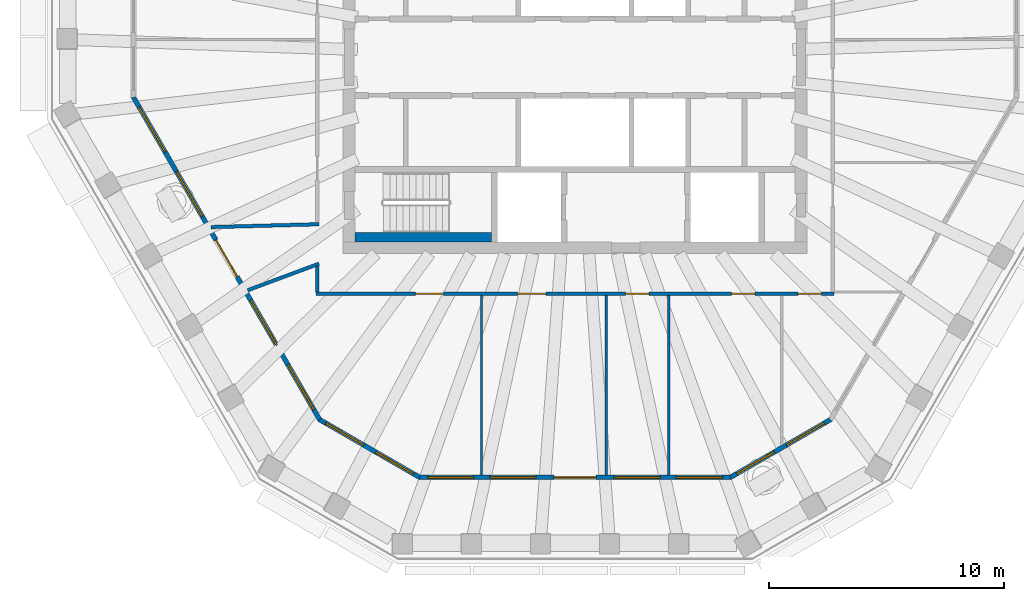
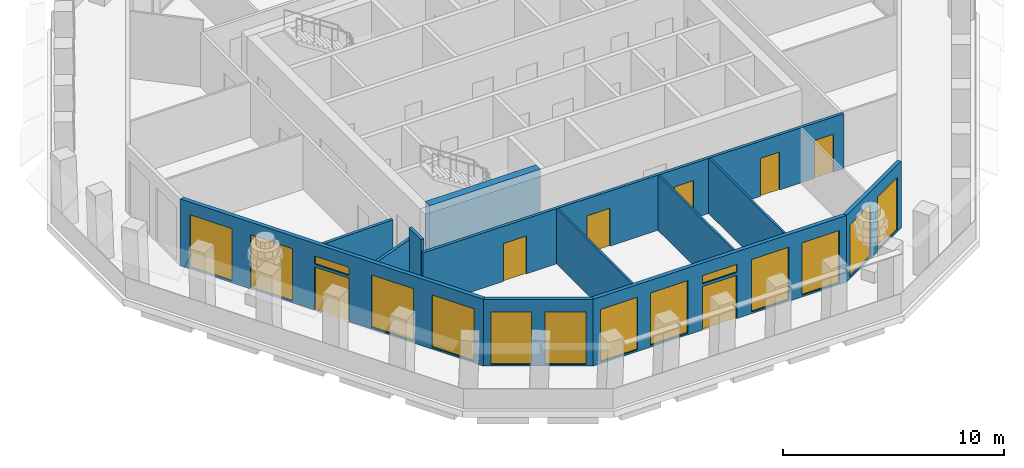
# One storey, part 3 of 11: 14 windows, 12 walls, 7 doors, 21 openings.
"""IFC4 building model written with IfcOpenShell, lengths in metres."""

from ifc_helpers import new_model, si_unit, direction, frame, frame_2d, origin, place, context, subcontext, project, spatial, polyline, rectangle, outline, extrude, material, layer, layer_set, type_object, element, fill, save


model = new_model("IFC4")

# Units and contexts
model_context = context("Model", 3, precision=1e-05, world=origin(), true_north=direction((0.0, 1.0)))
body_context = subcontext(model_context, "Body", "Model", "MODEL_VIEW")
ifc_project = project(units=[si_unit("LENGTHUNIT", "METRE"), si_unit("AREAUNIT", "SQUARE_METRE"), si_unit("VOLUMEUNIT", "CUBIC_METRE"), si_unit("PLANEANGLEUNIT", "RADIAN"), si_unit("MASSUNIT", "GRAM", prefix="KILO")], contexts=[model_context])

# Site, building, storey
site_placement = place(None, origin())
site = spatial("IfcSite", under=ifc_project, at=site_placement, CompositionType="ELEMENT")
building_placement = place(site_placement, origin())
building = spatial("IfcBuilding", under=site, at=building_placement, Name="Frailejon Research Tower", CompositionType="ELEMENT")
storey_placement = place(building_placement, frame((0.0, 0.0, 332.60009765625)))
storey = spatial("IfcBuildingStorey", under=building, at=storey_placement, Name="L74", CompositionType="ELEMENT", Elevation=332.60009765625)

# Wall
ifc_material_1 = material(Name="Gypsum board and masonry partition", Category="masonry")
ifc_layer_1 = layer(ifc_material_1, 0.14990234375)
ifc_layer_set_1 = layer_set([ifc_layer_1], Name="Corridor wall EI 60, gypsum on steel studs 150")
wall_type_1 = type_object("IfcWallType", Name="Corridor wall EI 60, gypsum on steel studs 150", PredefinedType="PARTITIONING", material=ifc_layer_set_1)
wall_1_placement = place(storey_placement, frame((-10.949951171875, -9.97509765625, 0.0), z_axis=(0.0, 0.0, 1.0), x_axis=(0.0, 1.0, 0.0)))
element("IfcWall", 1, at=wall_1_placement, inside=storey, type_object=wall_type_1, Name="T:IW:L74:006", PredefinedType="PARTITIONING", context=body_context, shape_type="SweptSolid", body=[
    extrude(rectangle(XDim=1.10009765625, YDim=0.14990234375, at=frame_2d((0.550048828125, 0.0))), origin(), (0.0, 0.0, 1.0), 3.699951171875),
])

# Wall, openings, doors
wall_2_placement = place(storey_placement, frame((-11.00341796875, -10.050048828125, 0.0), z_axis=(0.0, 0.0, 1.0), x_axis=(1.0, 0.0, 0.0)))
wall_2 = element("IfcWall", 2, at=wall_2_placement, inside=storey, type_object=wall_type_1, Name="T:IW:L74:008", PredefinedType="PARTITIONING", context=body_context, shape_type="SweptSolid", body=[
    extrude(rectangle(XDim=22.0068359375, YDim=0.14990234375, at=frame_2d((11.00341796875, 0.0))), origin(), (0.0, 0.0, 1.0), 3.0498046875),
])
opening_1_placement = place(wall_2_placement, frame((4.21337890625, 0.0, 0.0)))
opening_1 = element("IfcOpeningElement", 3, at=opening_1_placement, cuts=wall_2, Name="Opening D2390", PredefinedType="OPENING", context=body_context, shape_type="SweptSolid", body=[
    extrude(rectangle(XDim=1.199951171875, YDim=2.10009765625, at=frame_2d((0.60009765625, 1.050048828125))), frame((0.0, 0.0849609375, 0.0), z_axis=(0.0, -1.0, 0.0), x_axis=(1.0, 0.0, 0.0)), (0.0, 0.0, 1.0), 0.169921875),
])
opening_2_placement = place(wall_2_placement, frame((8.567138671875, 0.0, 0.0)))
opening_2 = element("IfcOpeningElement", 4, at=opening_2_placement, cuts=wall_2, Name="Opening D2391", PredefinedType="OPENING", context=body_context, shape_type="SweptSolid", body=[
    extrude(rectangle(XDim=1.199951171875, YDim=2.10009765625, at=frame_2d((0.60009765625, 1.050048828125))), frame((0.0, 0.0849609375, 0.0), z_axis=(0.0, -1.0, 0.0), x_axis=(1.0, 0.0, 0.0)), (0.0, 0.0, 1.0), 0.169921875),
])
opening_3_placement = place(wall_2_placement, frame((13.154541015625, 0.0, 0.0)))
opening_3 = element("IfcOpeningElement", 5, at=opening_3_placement, cuts=wall_2, Name="Opening D2392", PredefinedType="OPENING", context=body_context, shape_type="SweptSolid", body=[
    extrude(rectangle(XDim=1.0, YDim=2.10009765625, at=frame_2d((0.5, 1.050048828125))), frame((0.0, 0.0849609375, 0.0), z_axis=(0.0, -1.0, 0.0), x_axis=(1.0, 0.0, 0.0)), (0.0, 0.0, 1.0), 0.169921875),
])
opening_4_placement = place(wall_2_placement, frame((17.65625, 0.0, 0.0)))
opening_4 = element("IfcOpeningElement", 6, at=opening_4_placement, cuts=wall_2, Name="Opening D2393", PredefinedType="OPENING", context=body_context, shape_type="SweptSolid", body=[
    extrude(rectangle(XDim=1.0, YDim=2.10009765625, at=frame_2d((0.5, 1.050048828125))), frame((0.0, 0.0849609375, 0.0), z_axis=(0.0, -1.0, 0.0), x_axis=(1.0, 0.0, 0.0)), (0.0, 0.0, 1.0), 0.169921875),
])
opening_5_placement = place(wall_2_placement, frame((20.468994140625, 0.0, 0.0)))
opening_5 = element("IfcOpeningElement", 7, at=opening_5_placement, cuts=wall_2, Name="Opening D2394", PredefinedType="OPENING", context=body_context, shape_type="SweptSolid", body=[
    extrude(rectangle(XDim=1.0, YDim=2.10009765625, at=frame_2d((0.5, 1.050048828125))), frame((0.0, 0.0849609375, 0.0), z_axis=(0.0, -1.0, 0.0), x_axis=(1.0, 0.0, 0.0)), (0.0, 0.0, 1.0), 0.169921875),
])
ifc_material_2 = material(Name="Timber door leaf", Category="wood")
door_type_1 = type_object("IfcDoorType", Name="Door single leaf, timber, steel frame 1000", OperationType="NOTDEFINED", PredefinedType="DOOR", material=ifc_material_2)
door_1_placement = place(opening_3_placement, origin())
door_1 = element("IfcDoor", 8, at=door_1_placement, inside=storey, type_object=door_type_1, Name="D2392", OperationType="SINGLE_SWING_LEFT", OverallHeight=2.10009765625, OverallWidth=1.0, PredefinedType="DOOR", context=body_context, shape_type="SweptSolid", body=[
    extrude(rectangle(XDim=1.0, YDim=2.10009765625, at=frame_2d((0.5, 1.050048828125))), frame((0.0, 0.02490234375, 0.0), z_axis=(0.0, -1.0, 0.0), x_axis=(1.0, 0.0, 0.0)), (0.0, 0.0, 1.0), 0.050048828125),
])
fill(opening_3, door_1)
door_2_placement = place(opening_4_placement, origin())
door_2 = element("IfcDoor", 9, at=door_2_placement, inside=storey, type_object=door_type_1, Name="D2393", OperationType="SINGLE_SWING_LEFT", OverallHeight=2.10009765625, OverallWidth=1.0, PredefinedType="DOOR", context=body_context, shape_type="SweptSolid", body=[
    extrude(rectangle(XDim=1.0, YDim=2.10009765625, at=frame_2d((0.5, 1.050048828125))), frame((0.0, 0.02490234375, 0.0), z_axis=(0.0, -1.0, 0.0), x_axis=(1.0, 0.0, 0.0)), (0.0, 0.0, 1.0), 0.050048828125),
])
fill(opening_4, door_2)
door_3_placement = place(opening_5_placement, origin())
door_3 = element("IfcDoor", 10, at=door_3_placement, inside=storey, type_object=door_type_1, Name="D2394", OperationType="SINGLE_SWING_RIGHT", OverallHeight=2.10009765625, OverallWidth=1.0, PredefinedType="DOOR", context=body_context, shape_type="SweptSolid", body=[
    extrude(rectangle(XDim=1.0, YDim=2.10009765625, at=frame_2d((0.5, 1.050048828125))), frame((0.0, 0.02490234375, 0.0), z_axis=(0.0, -1.0, 0.0), x_axis=(1.0, 0.0, 0.0)), (0.0, 0.0, 1.0), 0.050048828125),
])
fill(opening_5, door_3)
ifc_material_3 = material(Name="Timber door leaf", Category="wood")
door_type_2 = type_object("IfcDoorType", Name="Door single leaf, timber, steel frame 1200", OperationType="NOTDEFINED", PredefinedType="DOOR", material=ifc_material_3)
door_4_placement = place(opening_1_placement, origin())
door_4 = element("IfcDoor", 11, at=door_4_placement, inside=storey, type_object=door_type_2, Name="D2390", OperationType="DOUBLE_DOOR_SINGLE_SWING", OverallHeight=2.10009765625, OverallWidth=1.199951171875, PredefinedType="DOOR", context=body_context, shape_type="SweptSolid", body=[
    extrude(rectangle(XDim=1.199951171875, YDim=2.10009765625, at=frame_2d((0.60009765625, 1.050048828125))), frame((0.0, 0.02490234375, 0.0), z_axis=(0.0, -1.0, 0.0), x_axis=(1.0, 0.0, 0.0)), (0.0, 0.0, 1.0), 0.050048828125),
])
fill(opening_1, door_4)
door_5_placement = place(opening_2_placement, origin())
door_5 = element("IfcDoor", 12, at=door_5_placement, inside=storey, type_object=door_type_2, Name="D2391", OperationType="DOUBLE_DOOR_SINGLE_SWING", OverallHeight=2.10009765625, OverallWidth=1.199951171875, PredefinedType="DOOR", context=body_context, shape_type="SweptSolid", body=[
    extrude(rectangle(XDim=1.199951171875, YDim=2.10009765625, at=frame_2d((0.60009765625, 1.050048828125))), frame((0.0, 0.02490234375, 0.0), z_axis=(0.0, -1.0, 0.0), x_axis=(1.0, 0.0, 0.0)), (0.0, 0.0, 1.0), 0.050048828125),
])
fill(opening_2, door_5)

# Walls
wall_3_placement = place(storey_placement, frame((-15.461669921875, -7.219482421875, 0.0), z_axis=(0.0, 0.0, 1.0), x_axis=(0.999648856186, 0.026498383477, 0.0)))
element("IfcWall", 13, at=wall_3_placement, inside=storey, type_object=wall_type_1, Name="T:IW:L74:009", PredefinedType="PARTITIONING", context=body_context, shape_type="SweptSolid", body=[
    extrude(rectangle(XDim=4.58837890625, YDim=0.14990234375, at=frame_2d((2.294189453125, 0.0))), origin(), (0.0, 0.0, 1.0), 3.0498046875),
])
wall_4_placement = place(storey_placement, frame((-13.912109375, -9.903564453125, 0.0), z_axis=(0.0, 0.0, 1.0), x_axis=(0.937068080087, 0.349146693071, 0.0)))
element("IfcWall", 14, at=wall_4_placement, inside=storey, type_object=wall_type_1, Name="T:IW:L74:010", PredefinedType="PARTITIONING", context=body_context, shape_type="SweptSolid", body=[
    extrude(rectangle(XDim=3.236083984375, YDim=0.14990234375, at=frame_2d((1.6181640625, 0.0))), origin(), (0.0, 0.0, 1.0), 3.0498046875),
])
ifc_material_4 = material(Name="Gypsum board and masonry partition", Category="masonry")
ifc_layer_2 = layer(ifc_material_4, 0.10009765625)
ifc_layer_set_2 = layer_set([ifc_layer_2], Name="Partition, gypsum on steel studs 100")
wall_type_2 = type_object("IfcWallType", Name="Partition, gypsum on steel studs 100", PredefinedType="PARTITIONING", material=ifc_layer_set_2)
for number, where, z_axis, x_axis, name in (
    (15, (-3.97705078125, -17.754150390625, 0.0), (0.0, 0.0, 1.0), (0.0, 1.0, 0.0), "T:IW:L74:020"),
    (16, (1.32568359375, -17.754150390625, 0.0), (0.0, 0.0, 1.0), (0.0, 1.0, 0.0), "T:IW:L74:021"),
    (17, (3.97705078125, -17.754150390625, 0.0), (0.0, 0.0, 1.0), (0.0, 1.0, 0.0), "T:IW:L74:022"),
):
    element("IfcWall", number, at=place(storey_placement, frame(where, z_axis=z_axis, x_axis=x_axis)), inside=storey, type_object=wall_type_2, Name=name, PredefinedType="PARTITIONING", context=body_context, shape_type="SweptSolid", body=[
        extrude(rectangle(XDim=7.629150390625, YDim=0.10009765625, at=frame_2d((3.814453125, 0.0))), origin(), (0.0, 0.0, 1.0), 3.0498046875),
    ])
ifc_material_5 = material(Name="Concrete C50/60", Category="concrete")
ifc_layer_3 = layer(ifc_material_5, 0.39990234375)
ifc_layer_set_3 = layer_set([ifc_layer_3], Name="Shaft wall 400 C50/60")
wall_type_3 = type_object("IfcWallType", Name="Shaft wall 400 C50/60", PredefinedType="SOLIDWALL", material=ifc_layer_set_3)
wall_5_placement = place(storey_placement, frame((-9.35009765625, -7.64990234375, 0.0), z_axis=(0.0, 0.0, 1.0), x_axis=(1.0, 0.0, 0.0)))
element("IfcWall", 18, at=wall_5_placement, inside=storey, type_object=wall_type_3, Name="Shaft wall", PredefinedType="SOLIDWALL", context=body_context, shape_type="SweptSolid", body=[
    extrude(rectangle(XDim=5.800048828125, YDim=0.39990234375, at=frame_2d((2.89990234375, 0.0))), origin(), (0.0, 0.0, 1.0), 3.699951171875),
])

# Wall, openings, door, windows
ifc_material_6 = material(Name="Concrete C40/50 precast window wall panel", Category="concrete")
ifc_layer_4 = layer(ifc_material_6, 0.199951171875)
ifc_layer_set_4 = layer_set([ifc_layer_4], Name="Window wall 200")
wall_type_4 = type_object("IfcWallType", Name="Window wall 200", PredefinedType="SOLIDWALL", material=ifc_layer_set_4)
wall_6_placement = place(storey_placement, frame((-18.762939453125, -1.70166015625, 0.0), z_axis=(0.0, 0.0, 1.0), x_axis=(0.500005733105, -0.86602209375, 0.0)))
wall_6 = element("IfcWall", 19, at=wall_6_placement, inside=storey, type_object=wall_type_4, Name="Exterior wall L74", PredefinedType="SOLIDWALL", context=body_context, shape_type="SweptSolid", body=[
    extrude(outline(polyline([(-0.02685546875, -0.10009765625), (1.031005859375, -0.10009765625), (2.089111328125, -0.10009765625), (3.14697265625, -0.10009765625), (4.205078125, -0.10009765625), (5.262939453125, -0.10009765625), (6.32080078125, -0.10009765625), (7.37890625, -0.10009765625), (8.436767578125, -0.10009765625), (9.494873046875, -0.10009765625), (10.552734375, -0.10009765625), (11.610595703125, -0.10009765625), (12.668701171875, -0.10009765625), (13.7265625, -0.10009765625), (14.78466796875, -0.10009765625), (15.842529296875, -0.10009765625), (15.788818359375, 0.10009765625), (14.738037109375, 0.10009765625), (13.687255859375, 0.10009765625), (12.636474609375, 0.10009765625), (11.585693359375, 0.10009765625), (10.534912109375, 0.10009765625), (9.484130859375, 0.10009765625), (8.433349609375, 0.10009765625), (7.38232421875, 0.10009765625), (6.33154296875, 0.10009765625), (5.28076171875, 0.10009765625), (4.22998046875, 0.10009765625), (3.17919921875, 0.10009765625), (2.12841796875, 0.10009765625), (1.07763671875, 0.10009765625), (0.02685546875, 0.10009765625), (-0.02685546875, -0.10009765625)])), origin(), (0.0, 0.0, 1.0), 3.699951171875),
])
opening_6_placement = place(wall_6_placement, frame((0.481689453125, 0.0, 0.10009765625)))
opening_6 = element("IfcOpeningElement", 20, at=opening_6_placement, cuts=wall_6, Name="Opening W28", PredefinedType="OPENING", context=body_context, shape_type="SweptSolid", body=[
    extrude(rectangle(XDim=2.199951171875, YDim=2.89990234375, at=frame_2d((1.10009765625, 1.449951171875))), frame((0.0, 0.10986328125, 0.0), z_axis=(0.0, -1.0, 0.0), x_axis=(1.0, 0.0, 0.0)), (0.0, 0.0, 1.0), 0.219970703125),
])
opening_7_placement = place(wall_6_placement, frame((3.644775390625, 0.0, 0.10009765625)))
opening_7 = element("IfcOpeningElement", 21, at=opening_7_placement, cuts=wall_6, Name="Opening W28", PredefinedType="OPENING", context=body_context, shape_type="SweptSolid", body=[
    extrude(rectangle(XDim=2.199951171875, YDim=2.89990234375, at=frame_2d((1.10009765625, 1.449951171875))), frame((0.0, 0.10986328125, 0.0), z_axis=(0.0, -1.0, 0.0), x_axis=(1.0, 0.0, 0.0)), (0.0, 0.0, 1.0), 0.219970703125),
])
opening_8_placement = place(wall_6_placement, frame((7.0078125, 0.0, 0.0)))
opening_8 = element("IfcOpeningElement", 22, at=opening_8_placement, cuts=wall_6, Name="Opening LG74-4", PredefinedType="OPENING", context=body_context, shape_type="SweptSolid", body=[
    extrude(rectangle(XDim=1.800048828125, YDim=2.39990234375, at=frame_2d((0.89990234375, 1.199951171875))), frame((0.0, 0.10986328125, 0.0), z_axis=(0.0, -1.0, 0.0), x_axis=(1.0, 0.0, 0.0)), (0.0, 0.0, 1.0), 0.219970703125),
])
opening_9_placement = place(wall_6_placement, frame((7.0078125, 0.0, 2.550048828125)))
opening_9 = element("IfcOpeningElement", 23, at=opening_9_placement, cuts=wall_6, Name="Opening W1", PredefinedType="OPENING", context=body_context, shape_type="SweptSolid", body=[
    extrude(rectangle(XDim=1.800048828125, YDim=0.449951171875, at=frame_2d((0.89990234375, 0.22509765625))), frame((0.0, 0.10986328125, 0.0), z_axis=(0.0, -1.0, 0.0), x_axis=(1.0, 0.0, 0.0)), (0.0, 0.0, 1.0), 0.219970703125),
])
opening_10_placement = place(wall_6_placement, frame((9.970947265625, 0.0, 0.10009765625)))
opening_10 = element("IfcOpeningElement", 24, at=opening_10_placement, cuts=wall_6, Name="Opening W28", PredefinedType="OPENING", context=body_context, shape_type="SweptSolid", body=[
    extrude(rectangle(XDim=2.199951171875, YDim=2.89990234375, at=frame_2d((1.10009765625, 1.449951171875))), frame((0.0, 0.10986328125, 0.0), z_axis=(0.0, -1.0, 0.0), x_axis=(1.0, 0.0, 0.0)), (0.0, 0.0, 1.0), 0.219970703125),
])
opening_11_placement = place(wall_6_placement, frame((13.13427734375, 0.0, 0.10009765625)))
opening_11 = element("IfcOpeningElement", 25, at=opening_11_placement, cuts=wall_6, Name="Opening W28", PredefinedType="OPENING", context=body_context, shape_type="SweptSolid", body=[
    extrude(rectangle(XDim=2.199951171875, YDim=2.89990234375, at=frame_2d((1.10009765625, 1.449951171875))), frame((0.0, 0.10986328125, 0.0), z_axis=(0.0, -1.0, 0.0), x_axis=(1.0, 0.0, 0.0)), (0.0, 0.0, 1.0), 0.219970703125),
])
ifc_material_7 = material(Name="Aluminium framed glazed door leaf", Category="aluminium")
door_type_3 = type_object("IfcDoorType", Name="Loggia door 1800x2400", OperationType="DOUBLE_DOOR_SINGLE_SWING", PredefinedType="DOOR", material=ifc_material_7)
door_6_placement = place(opening_8_placement, origin())
door_6 = element("IfcDoor", 26, at=door_6_placement, inside=storey, type_object=door_type_3, Name="Door LG74-4", OperationType="DOUBLE_DOOR_SINGLE_SWING", OverallHeight=2.39990234375, OverallWidth=1.800048828125, PredefinedType="DOOR", context=body_context, shape_type="SweptSolid", body=[
    extrude(rectangle(XDim=1.800048828125, YDim=2.39990234375, at=frame_2d((0.89990234375, 1.199951171875))), frame((0.0, 0.02490234375, 0.0), z_axis=(0.0, -1.0, 0.0), x_axis=(1.0, 0.0, 0.0)), (0.0, 0.0, 1.0), 0.050048828125),
])
fill(opening_8, door_6)
ifc_material_8 = material(Name="Aluminium framed double glazing", Category="aluminium")
window_type_1 = type_object("IfcWindowType", Name="Window 1800x450", PartitioningType="SINGLE_PANEL", PredefinedType="WINDOW", material=ifc_material_8)
window_1_placement = place(opening_9_placement, origin())
window_1 = element("IfcWindow", 27, at=window_1_placement, inside=storey, type_object=window_type_1, Name="Window L74", OverallHeight=0.449951171875, OverallWidth=1.800048828125, PartitioningType="SINGLE_PANEL", PredefinedType="WINDOW", context=body_context, shape_type="SweptSolid", body=[
    extrude(rectangle(XDim=1.800048828125, YDim=0.449951171875, at=frame_2d((0.89990234375, 0.22509765625))), frame((0.0, 0.030029296875, 0.0), z_axis=(0.0, -1.0, 0.0), x_axis=(1.0, 0.0, 0.0)), (0.0, 0.0, 1.0), 0.06005859375),
])
fill(opening_9, window_1)
ifc_material_9 = material(Name="Aluminium framed double glazing", Category="aluminium")
window_type_2 = type_object("IfcWindowType", Name="Window 2200x2900", PartitioningType="SINGLE_PANEL", PredefinedType="WINDOW", material=ifc_material_9)
window_2_placement = place(opening_6_placement, origin())
window_2 = element("IfcWindow", 28, at=window_2_placement, inside=storey, type_object=window_type_2, Name="Window L74", OverallHeight=2.89990234375, OverallWidth=2.199951171875, PartitioningType="SINGLE_PANEL", PredefinedType="WINDOW", context=body_context, shape_type="SweptSolid", body=[
    extrude(rectangle(XDim=2.199951171875, YDim=2.89990234375, at=frame_2d((1.10009765625, 1.449951171875))), frame((0.0, 0.030029296875, 0.0), z_axis=(0.0, -1.0, 0.0), x_axis=(1.0, 0.0, 0.0)), (0.0, 0.0, 1.0), 0.06005859375),
])
fill(opening_6, window_2)
window_3_placement = place(opening_7_placement, origin())
window_3 = element("IfcWindow", 29, at=window_3_placement, inside=storey, type_object=window_type_2, Name="Window L74", OverallHeight=2.89990234375, OverallWidth=2.199951171875, PartitioningType="SINGLE_PANEL", PredefinedType="WINDOW", context=body_context, shape_type="SweptSolid", body=[
    extrude(rectangle(XDim=2.199951171875, YDim=2.89990234375, at=frame_2d((1.10009765625, 1.449951171875))), frame((0.0, 0.030029296875, 0.0), z_axis=(0.0, -1.0, 0.0), x_axis=(1.0, 0.0, 0.0)), (0.0, 0.0, 1.0), 0.06005859375),
])
fill(opening_7, window_3)
window_4_placement = place(opening_10_placement, origin())
window_4 = element("IfcWindow", 30, at=window_4_placement, inside=storey, type_object=window_type_2, Name="Window L74", OverallHeight=2.89990234375, OverallWidth=2.199951171875, PartitioningType="SINGLE_PANEL", PredefinedType="WINDOW", context=body_context, shape_type="SweptSolid", body=[
    extrude(rectangle(XDim=2.199951171875, YDim=2.89990234375, at=frame_2d((1.10009765625, 1.449951171875))), frame((0.0, 0.030029296875, 0.0), z_axis=(0.0, -1.0, 0.0), x_axis=(1.0, 0.0, 0.0)), (0.0, 0.0, 1.0), 0.06005859375),
])
fill(opening_10, window_4)
window_5_placement = place(opening_11_placement, origin())
window_5 = element("IfcWindow", 31, at=window_5_placement, inside=storey, type_object=window_type_2, Name="Window L74", OverallHeight=2.89990234375, OverallWidth=2.199951171875, PartitioningType="SINGLE_PANEL", PredefinedType="WINDOW", context=body_context, shape_type="SweptSolid", body=[
    extrude(rectangle(XDim=2.199951171875, YDim=2.89990234375, at=frame_2d((1.10009765625, 1.449951171875))), frame((0.0, 0.030029296875, 0.0), z_axis=(0.0, -1.0, 0.0), x_axis=(1.0, 0.0, 0.0)), (0.0, 0.0, 1.0), 0.06005859375),
])
fill(opening_11, window_5)

# Wall, openings, windows
wall_7_placement = place(storey_placement, frame((-10.85498046875, -15.3984375, 0.0), z_axis=(0.0, 0.0, 1.0), x_axis=(0.86601671623, -0.500015046984, 0.0)))
wall_7 = element("IfcWall", 32, at=wall_7_placement, inside=storey, type_object=wall_type_4, Name="Exterior wall L74", PredefinedType="SOLIDWALL", context=body_context, shape_type="SweptSolid", body=[
    extrude(outline(polyline([(-0.02685546875, -0.10009765625), (1.21435546875, -0.10009765625), (2.45556640625, -0.10009765625), (3.697021484375, -0.10009765625), (4.938232421875, -0.10009765625), (4.884521484375, 0.10009765625), (3.670166015625, 0.10009765625), (2.45556640625, 0.10009765625), (1.2412109375, 0.10009765625), (0.02685546875, 0.10009765625), (-0.02685546875, -0.10009765625)])), origin(), (0.0, 0.0, 1.0), 3.699951171875),
])
opening_12_placement = place(wall_7_placement, frame((0.302978515625, 0.0, 0.10009765625)))
opening_12 = element("IfcOpeningElement", 33, at=opening_12_placement, cuts=wall_7, Name="Opening W26", PredefinedType="OPENING", context=body_context, shape_type="SweptSolid", body=[
    extrude(rectangle(XDim=1.85009765625, YDim=2.89990234375, at=frame_2d((0.925048828125, 1.449951171875))), frame((0.0, 0.10986328125, 0.0), z_axis=(0.0, -1.0, 0.0), x_axis=(1.0, 0.0, 0.0)), (0.0, 0.0, 1.0), 0.219970703125),
])
opening_13_placement = place(wall_7_placement, frame((2.7587890625, 0.0, 0.10009765625)))
opening_13 = element("IfcOpeningElement", 34, at=opening_13_placement, cuts=wall_7, Name="Opening W26", PredefinedType="OPENING", context=body_context, shape_type="SweptSolid", body=[
    extrude(rectangle(XDim=1.85009765625, YDim=2.89990234375, at=frame_2d((0.925048828125, 1.449951171875))), frame((0.0, 0.10986328125, 0.0), z_axis=(0.0, -1.0, 0.0), x_axis=(1.0, 0.0, 0.0)), (0.0, 0.0, 1.0), 0.219970703125),
])
ifc_material_10 = material(Name="Aluminium framed double glazing", Category="aluminium")
window_type_3 = type_object("IfcWindowType", Name="Window 1850x2900", PartitioningType="SINGLE_PANEL", PredefinedType="WINDOW", material=ifc_material_10)
window_6_placement = place(opening_12_placement, origin())
window_6 = element("IfcWindow", 35, at=window_6_placement, inside=storey, type_object=window_type_3, Name="Window L74", OverallHeight=2.89990234375, OverallWidth=1.85009765625, PartitioningType="SINGLE_PANEL", PredefinedType="WINDOW", context=body_context, shape_type="SweptSolid", body=[
    extrude(rectangle(XDim=1.85009765625, YDim=2.89990234375, at=frame_2d((0.925048828125, 1.449951171875))), frame((0.0, 0.030029296875, 0.0), z_axis=(0.0, -1.0, 0.0), x_axis=(1.0, 0.0, 0.0)), (0.0, 0.0, 1.0), 0.06005859375),
])
fill(opening_12, window_6)
window_7_placement = place(opening_13_placement, origin())
window_7 = element("IfcWindow", 36, at=window_7_placement, inside=storey, type_object=window_type_3, Name="Window L74", OverallHeight=2.89990234375, OverallWidth=1.85009765625, PartitioningType="SINGLE_PANEL", PredefinedType="WINDOW", context=body_context, shape_type="SweptSolid", body=[
    extrude(rectangle(XDim=1.85009765625, YDim=2.89990234375, at=frame_2d((0.925048828125, 1.449951171875))), frame((0.0, 0.030029296875, 0.0), z_axis=(0.0, -1.0, 0.0), x_axis=(1.0, 0.0, 0.0)), (0.0, 0.0, 1.0), 0.06005859375),
])
fill(opening_13, window_7)

# Wall, openings, door, windows
wall_8_placement = place(storey_placement, frame((-6.6015625, -17.854248046875, 0.0), z_axis=(0.0, 0.0, 1.0), x_axis=(1.0, 0.0, 0.0)))
wall_8 = element("IfcWall", 37, at=wall_8_placement, inside=storey, type_object=wall_type_4, Name="Exterior wall L74", PredefinedType="SOLIDWALL", context=body_context, shape_type="SweptSolid", body=[
    extrude(outline(polyline([(-0.02685546875, -0.10009765625), (0.992919921875, -0.10009765625), (2.0126953125, -0.10009765625), (3.032470703125, -0.10009765625), (4.05224609375, -0.10009765625), (5.072021484375, -0.10009765625), (6.091796875, -0.10009765625), (7.111328125, -0.10009765625), (8.131103515625, -0.10009765625), (9.15087890625, -0.10009765625), (10.170654296875, -0.10009765625), (11.1904296875, -0.10009765625), (12.210205078125, -0.10009765625), (13.22998046875, -0.10009765625), (13.17626953125, 0.10009765625), (12.164794921875, 0.10009765625), (11.1533203125, 0.10009765625), (10.141845703125, 0.10009765625), (9.13037109375, 0.10009765625), (8.118896484375, 0.10009765625), (7.107421875, 0.10009765625), (6.095703125, 0.10009765625), (5.084228515625, 0.10009765625), (4.07275390625, 0.10009765625), (3.061279296875, 0.10009765625), (2.0498046875, 0.10009765625), (1.038330078125, 0.10009765625), (0.02685546875, 0.10009765625), (-0.02685546875, -0.10009765625)])), origin(), (0.0, 0.0, 1.0), 3.699951171875),
])
opening_14_placement = place(wall_8_placement, frame((0.34521484375, 0.0, 0.10009765625)))
opening_14 = element("IfcOpeningElement", 38, at=opening_14_placement, cuts=wall_8, Name="Opening W27", PredefinedType="OPENING", context=body_context, shape_type="SweptSolid", body=[
    extrude(rectangle(XDim=1.949951171875, YDim=2.89990234375, at=frame_2d((0.97509765625, 1.449951171875))), frame((0.0, 0.10986328125, 0.0), z_axis=(0.0, -1.0, 0.0), x_axis=(1.0, 0.0, 0.0)), (0.0, 0.0, 1.0), 0.219970703125),
])
opening_15_placement = place(wall_8_placement, frame((2.98583984375, 0.0, 0.10009765625)))
opening_15 = element("IfcOpeningElement", 39, at=opening_15_placement, cuts=wall_8, Name="Opening W27", PredefinedType="OPENING", context=body_context, shape_type="SweptSolid", body=[
    extrude(rectangle(XDim=1.949951171875, YDim=2.89990234375, at=frame_2d((0.97509765625, 1.449951171875))), frame((0.0, 0.10986328125, 0.0), z_axis=(0.0, -1.0, 0.0), x_axis=(1.0, 0.0, 0.0)), (0.0, 0.0, 1.0), 0.219970703125),
])
opening_16_placement = place(wall_8_placement, frame((5.701416015625, 0.0, 0.0)))
opening_16 = element("IfcOpeningElement", 40, at=opening_16_placement, cuts=wall_8, Name="Opening LG74-5", PredefinedType="OPENING", context=body_context, shape_type="SweptSolid", body=[
    extrude(rectangle(XDim=1.800048828125, YDim=2.39990234375, at=frame_2d((0.89990234375, 1.199951171875))), frame((0.0, 0.10986328125, 0.0), z_axis=(0.0, -1.0, 0.0), x_axis=(1.0, 0.0, 0.0)), (0.0, 0.0, 1.0), 0.219970703125),
])
opening_17_placement = place(wall_8_placement, frame((5.701416015625, 0.0, 2.550048828125)))
opening_17 = element("IfcOpeningElement", 41, at=opening_17_placement, cuts=wall_8, Name="Opening W1", PredefinedType="OPENING", context=body_context, shape_type="SweptSolid", body=[
    extrude(rectangle(XDim=1.800048828125, YDim=0.449951171875, at=frame_2d((0.89990234375, 0.22509765625))), frame((0.0, 0.10986328125, 0.0), z_axis=(0.0, -1.0, 0.0), x_axis=(1.0, 0.0, 0.0)), (0.0, 0.0, 1.0), 0.219970703125),
])
opening_18_placement = place(wall_8_placement, frame((8.26708984375, 0.0, 0.10009765625)))
opening_18 = element("IfcOpeningElement", 42, at=opening_18_placement, cuts=wall_8, Name="Opening W27", PredefinedType="OPENING", context=body_context, shape_type="SweptSolid", body=[
    extrude(rectangle(XDim=1.949951171875, YDim=2.89990234375, at=frame_2d((0.97509765625, 1.449951171875))), frame((0.0, 0.10986328125, 0.0), z_axis=(0.0, -1.0, 0.0), x_axis=(1.0, 0.0, 0.0)), (0.0, 0.0, 1.0), 0.219970703125),
])
opening_19_placement = place(wall_8_placement, frame((10.90771484375, 0.0, 0.10009765625)))
opening_19 = element("IfcOpeningElement", 43, at=opening_19_placement, cuts=wall_8, Name="Opening W27", PredefinedType="OPENING", context=body_context, shape_type="SweptSolid", body=[
    extrude(rectangle(XDim=1.949951171875, YDim=2.89990234375, at=frame_2d((0.97509765625, 1.449951171875))), frame((0.0, 0.10986328125, 0.0), z_axis=(0.0, -1.0, 0.0), x_axis=(1.0, 0.0, 0.0)), (0.0, 0.0, 1.0), 0.219970703125),
])
door_7_placement = place(opening_16_placement, origin())
door_7 = element("IfcDoor", 44, at=door_7_placement, inside=storey, type_object=door_type_3, Name="Door LG74-5", OperationType="DOUBLE_DOOR_SINGLE_SWING", OverallHeight=2.39990234375, OverallWidth=1.800048828125, PredefinedType="DOOR", context=body_context, shape_type="SweptSolid", body=[
    extrude(rectangle(XDim=1.800048828125, YDim=2.39990234375, at=frame_2d((0.89990234375, 1.199951171875))), frame((0.0, 0.02490234375, 0.0), z_axis=(0.0, -1.0, 0.0), x_axis=(1.0, 0.0, 0.0)), (0.0, 0.0, 1.0), 0.050048828125),
])
fill(opening_16, door_7)
window_8_placement = place(opening_17_placement, origin())
window_8 = element("IfcWindow", 45, at=window_8_placement, inside=storey, type_object=window_type_1, Name="Window L74", OverallHeight=0.449951171875, OverallWidth=1.800048828125, PartitioningType="SINGLE_PANEL", PredefinedType="WINDOW", context=body_context, shape_type="SweptSolid", body=[
    extrude(rectangle(XDim=1.800048828125, YDim=0.449951171875, at=frame_2d((0.89990234375, 0.22509765625))), frame((0.0, 0.030029296875, 0.0), z_axis=(0.0, -1.0, 0.0), x_axis=(1.0, 0.0, 0.0)), (0.0, 0.0, 1.0), 0.06005859375),
])
fill(opening_17, window_8)
ifc_material_11 = material(Name="Aluminium framed double glazing", Category="aluminium")
window_type_4 = type_object("IfcWindowType", Name="Window 1950x2900", PartitioningType="SINGLE_PANEL", PredefinedType="WINDOW", material=ifc_material_11)
window_9_placement = place(opening_14_placement, origin())
window_9 = element("IfcWindow", 46, at=window_9_placement, inside=storey, type_object=window_type_4, Name="Window L74", OverallHeight=2.89990234375, OverallWidth=1.949951171875, PartitioningType="SINGLE_PANEL", PredefinedType="WINDOW", context=body_context, shape_type="SweptSolid", body=[
    extrude(rectangle(XDim=1.949951171875, YDim=2.89990234375, at=frame_2d((0.97509765625, 1.449951171875))), frame((0.0, 0.030029296875, 0.0), z_axis=(0.0, -1.0, 0.0), x_axis=(1.0, 0.0, 0.0)), (0.0, 0.0, 1.0), 0.06005859375),
])
fill(opening_14, window_9)
window_10_placement = place(opening_15_placement, origin())
window_10 = element("IfcWindow", 47, at=window_10_placement, inside=storey, type_object=window_type_4, Name="Window L74", OverallHeight=2.89990234375, OverallWidth=1.949951171875, PartitioningType="SINGLE_PANEL", PredefinedType="WINDOW", context=body_context, shape_type="SweptSolid", body=[
    extrude(rectangle(XDim=1.949951171875, YDim=2.89990234375, at=frame_2d((0.97509765625, 1.449951171875))), frame((0.0, 0.030029296875, 0.0), z_axis=(0.0, -1.0, 0.0), x_axis=(1.0, 0.0, 0.0)), (0.0, 0.0, 1.0), 0.06005859375),
])
fill(opening_15, window_10)
window_11_placement = place(opening_18_placement, origin())
window_11 = element("IfcWindow", 48, at=window_11_placement, inside=storey, type_object=window_type_4, Name="Window L74", OverallHeight=2.89990234375, OverallWidth=1.949951171875, PartitioningType="SINGLE_PANEL", PredefinedType="WINDOW", context=body_context, shape_type="SweptSolid", body=[
    extrude(rectangle(XDim=1.949951171875, YDim=2.89990234375, at=frame_2d((0.97509765625, 1.449951171875))), frame((0.0, 0.030029296875, 0.0), z_axis=(0.0, -1.0, 0.0), x_axis=(1.0, 0.0, 0.0)), (0.0, 0.0, 1.0), 0.06005859375),
])
fill(opening_18, window_11)
window_12_placement = place(opening_19_placement, origin())
window_12 = element("IfcWindow", 49, at=window_12_placement, inside=storey, type_object=window_type_4, Name="Window L74", OverallHeight=2.89990234375, OverallWidth=1.949951171875, PartitioningType="SINGLE_PANEL", PredefinedType="WINDOW", context=body_context, shape_type="SweptSolid", body=[
    extrude(rectangle(XDim=1.949951171875, YDim=2.89990234375, at=frame_2d((0.97509765625, 1.449951171875))), frame((0.0, 0.030029296875, 0.0), z_axis=(0.0, -1.0, 0.0), x_axis=(1.0, 0.0, 0.0)), (0.0, 0.0, 1.0), 0.06005859375),
])
fill(opening_19, window_12)

# Wall, openings, windows
wall_9_placement = place(storey_placement, frame((6.6015625, -17.854248046875, 0.0), z_axis=(0.0, 0.0, 1.0), x_axis=(0.86601671623, 0.500015046984, 0.0)))
wall_9 = element("IfcWall", 50, at=wall_9_placement, inside=storey, type_object=wall_type_4, Name="Exterior wall L74", PredefinedType="SOLIDWALL", context=body_context, shape_type="SweptSolid", body=[
    extrude(outline(polyline([(-0.02685546875, -0.10009765625), (1.21435546875, -0.10009765625), (2.45556640625, -0.10009765625), (3.697021484375, -0.10009765625), (4.938232421875, -0.10009765625), (4.884521484375, 0.10009765625), (3.670166015625, 0.10009765625), (2.45556640625, 0.10009765625), (1.2412109375, 0.10009765625), (0.02685546875, 0.10009765625), (-0.02685546875, -0.10009765625)])), origin(), (0.0, 0.0, 1.0), 3.699951171875),
])
opening_20_placement = place(wall_9_placement, frame((0.302978515625, 0.0, 0.10009765625)))
opening_20 = element("IfcOpeningElement", 51, at=opening_20_placement, cuts=wall_9, Name="Opening W26", PredefinedType="OPENING", context=body_context, shape_type="SweptSolid", body=[
    extrude(rectangle(XDim=1.85009765625, YDim=2.89990234375, at=frame_2d((0.925048828125, 1.449951171875))), frame((0.0, 0.10986328125, 0.0), z_axis=(0.0, -1.0, 0.0), x_axis=(1.0, 0.0, 0.0)), (0.0, 0.0, 1.0), 0.219970703125),
])
opening_21_placement = place(wall_9_placement, frame((2.7587890625, 0.0, 0.10009765625)))
opening_21 = element("IfcOpeningElement", 52, at=opening_21_placement, cuts=wall_9, Name="Opening W26", PredefinedType="OPENING", context=body_context, shape_type="SweptSolid", body=[
    extrude(rectangle(XDim=1.85009765625, YDim=2.89990234375, at=frame_2d((0.925048828125, 1.449951171875))), frame((0.0, 0.10986328125, 0.0), z_axis=(0.0, -1.0, 0.0), x_axis=(1.0, 0.0, 0.0)), (0.0, 0.0, 1.0), 0.219970703125),
])
window_13_placement = place(opening_20_placement, origin())
window_13 = element("IfcWindow", 53, at=window_13_placement, inside=storey, type_object=window_type_3, Name="Window L74", OverallHeight=2.89990234375, OverallWidth=1.85009765625, PartitioningType="SINGLE_PANEL", PredefinedType="WINDOW", context=body_context, shape_type="SweptSolid", body=[
    extrude(rectangle(XDim=1.85009765625, YDim=2.89990234375, at=frame_2d((0.925048828125, 1.449951171875))), frame((0.0, 0.030029296875, 0.0), z_axis=(0.0, -1.0, 0.0), x_axis=(1.0, 0.0, 0.0)), (0.0, 0.0, 1.0), 0.06005859375),
])
fill(opening_20, window_13)
window_14_placement = place(opening_21_placement, origin())
window_14 = element("IfcWindow", 54, at=window_14_placement, inside=storey, type_object=window_type_3, Name="Window L74", OverallHeight=2.89990234375, OverallWidth=1.85009765625, PartitioningType="SINGLE_PANEL", PredefinedType="WINDOW", context=body_context, shape_type="SweptSolid", body=[
    extrude(rectangle(XDim=1.85009765625, YDim=2.89990234375, at=frame_2d((0.925048828125, 1.449951171875))), frame((0.0, 0.030029296875, 0.0), z_axis=(0.0, -1.0, 0.0), x_axis=(1.0, 0.0, 0.0)), (0.0, 0.0, 1.0), 0.06005859375),
])
fill(opening_21, window_14)

save(model, "model.ifc")
